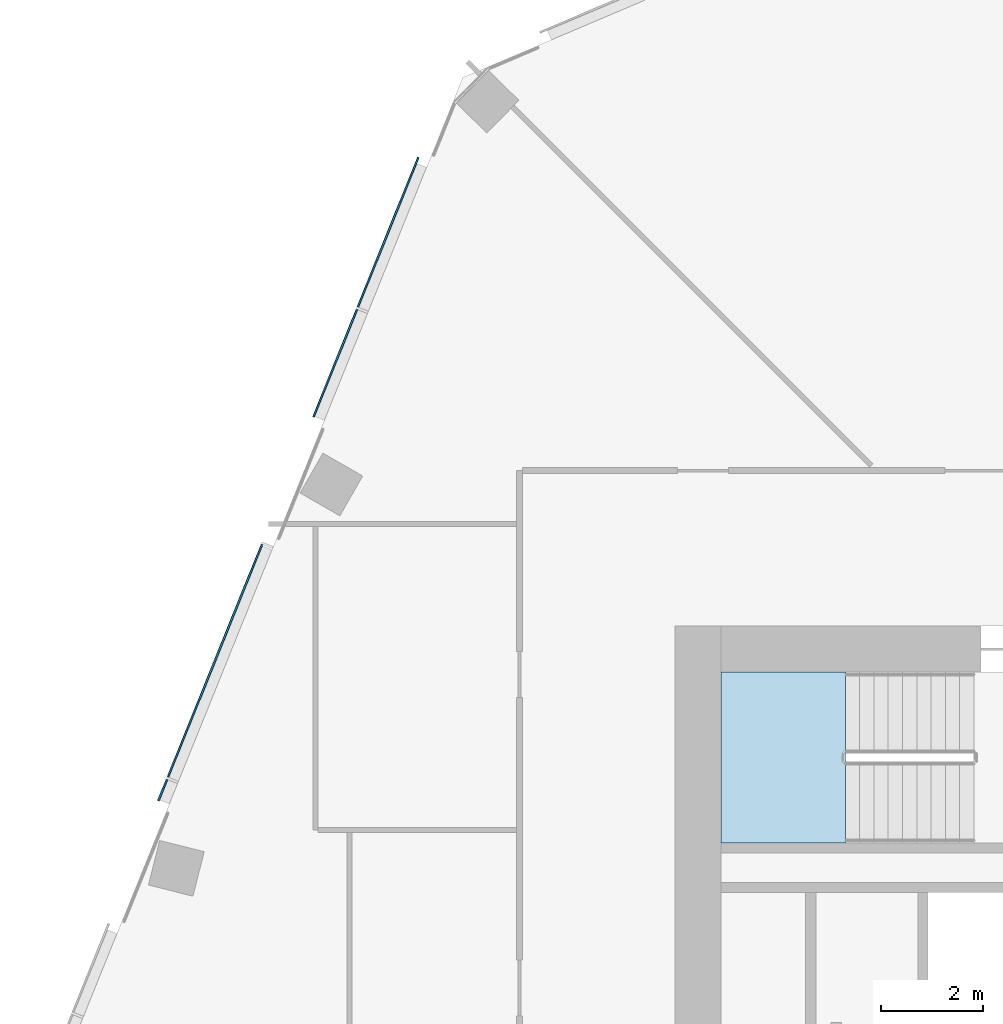
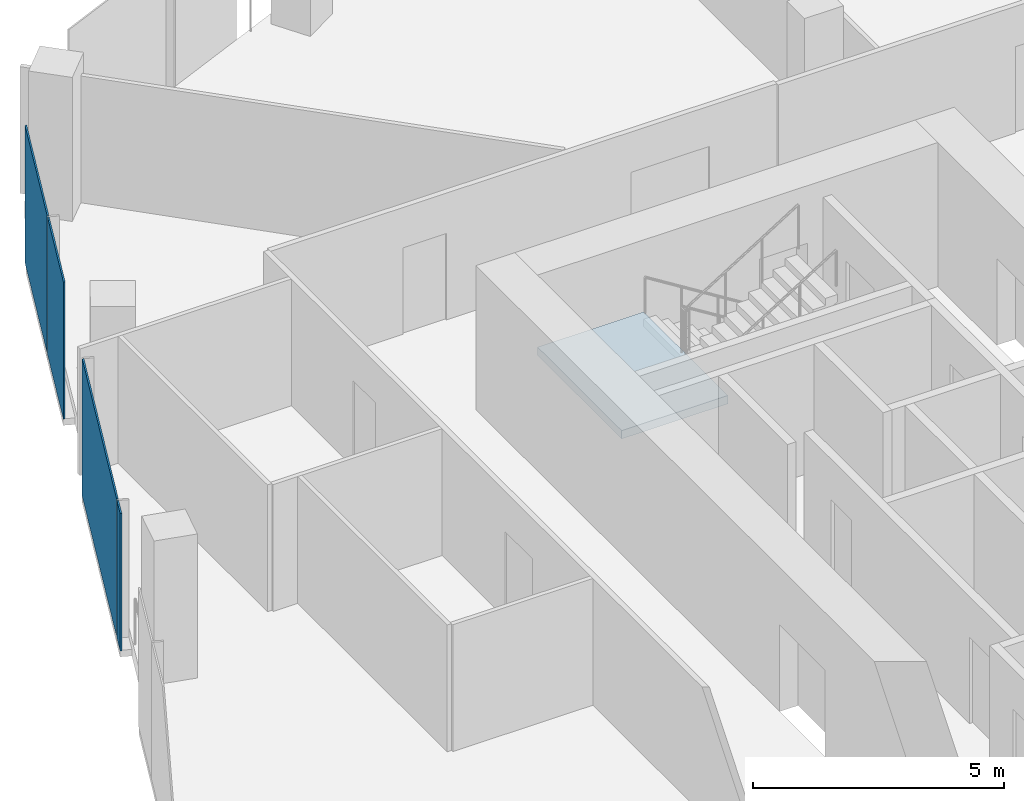
# One storey, part 14 of 26: 4 plates, 1 slab, 2 elements without a shape of their own.
"""IFC4 building model written with IfcOpenShell, lengths in metres."""

from ifc_helpers import new_model, si_unit, direction, frame, origin, origin_2d, place, context, subcontext, project, spatial, polyline, rectangle, outline, extrude, material, layer, layer_set, type_object, element, aggregate, save


model = new_model("IFC4")

# Units and contexts
model_context = context("Model", 3, precision=1e-05, world=origin(), true_north=direction((0.0, 1.0)))
body_context = subcontext(model_context, "Body", "Model", "MODEL_VIEW")
ifc_project = project(units=[si_unit("LENGTHUNIT", "METRE"), si_unit("AREAUNIT", "SQUARE_METRE"), si_unit("VOLUMEUNIT", "CUBIC_METRE"), si_unit("PLANEANGLEUNIT", "RADIAN"), si_unit("MASSUNIT", "GRAM", prefix="KILO")], contexts=[model_context])

# Site, building, storey
site_placement = place(None, origin())
site = spatial("IfcSite", under=ifc_project, at=site_placement, CompositionType="ELEMENT")
building_placement = place(site_placement, origin())
building = spatial("IfcBuilding", under=site, at=building_placement, Name="Orlundy Tower", CompositionType="ELEMENT")
storey_placement = place(building_placement, frame((0.0, 0.0, 275.39990234375)))
storey = spatial("IfcBuildingStorey", under=building, at=storey_placement, Name="L73", CompositionType="ELEMENT", Elevation=275.39990234375)

# Curtain wall, plates
ifc_material_1 = material(Name="Aluminium bronze anodised", Category="aluminium")
curtain_wall_type = type_object("IfcCurtainWallType", Name="CW6 wall", PredefinedType="NOTDEFINED", material=ifc_material_1)
curtain_wall_placement = place(storey_placement, origin())
curtain_wall = element("IfcCurtainWall", 1, at=curtain_wall_placement, inside=storey, type_object=curtain_wall_type, Name="CW6 run 015", PredefinedType="NOTDEFINED")
ifc_material_2 = material(Name="Tinted glass", Category="glass")
ifc_layer_1 = layer(ifc_material_2, 0.035888671875)
ifc_layer_set_1 = layer_set([ifc_layer_1], Name="CW6 glass panel 36")
plate_type = type_object("IfcPlateType", Name="CW6 glass panel 36", PredefinedType="CURTAIN_PANEL", material=ifc_layer_set_1)
plate_1_placement = place(storey_placement, frame((-29.046630859375, 8.784912109375, -0.23974609375), z_axis=(0.0, 0.0, 1.0), x_axis=(0.374607412456, 0.927183523653, 0.0)))
plate_1 = element("IfcPlate", 2, at=plate_1_placement, type_object=plate_type, Name="CW6 panel", PredefinedType="CURTAIN_PANEL", context=body_context, shape_type="SweptSolid", body=[
    extrude(rectangle(XDim=0.451171875, YDim=0.035888671875, at=origin_2d()), origin(), (0.0, 0.0, 1.0), 3.340087890625),
])
plate_2_placement = place(storey_placement, frame((-28.021728515625, 11.32177734375, -0.23974609375), z_axis=(0.0, 0.0, 1.0), x_axis=(0.374607412456, 0.927183523653, 0.0)))
plate_2 = element("IfcPlate", 3, at=plate_2_placement, type_object=plate_type, Name="CW6 panel", PredefinedType="CURTAIN_PANEL", context=body_context, shape_type="SweptSolid", body=[
    extrude(rectangle(XDim=4.920654296875, YDim=0.035888671875, at=origin_2d()), origin(), (0.0, 0.0, 1.0), 3.340087890625),
])
plate_3_placement = place(storey_placement, frame((-25.6640625, 17.156982421875, -0.23974609375), z_axis=(0.0, 0.0, 1.0), x_axis=(0.374607412456, 0.927183523653, 0.0)))
plate_3 = element("IfcPlate", 4, at=plate_3_placement, type_object=plate_type, Name="CW6 panel", PredefinedType="CURTAIN_PANEL", context=body_context, shape_type="SweptSolid", body=[
    extrude(rectangle(XDim=2.274169921875, YDim=0.035888671875, at=origin_2d()), origin(), (0.0, 0.0, 1.0), 3.340087890625),
])
plate_4_placement = place(storey_placement, frame((-24.627197265625, 19.723876953125, -0.23974609375), z_axis=(0.0, 0.0, 1.0), x_axis=(0.374607412456, 0.927183523653, 0.0)))
plate_4 = element("IfcPlate", 5, at=plate_4_placement, type_object=plate_type, Name="CW6 panel", PredefinedType="CURTAIN_PANEL", context=body_context, shape_type="SweptSolid", body=[
    extrude(rectangle(XDim=3.162353515625, YDim=0.035888671875, at=origin_2d()), origin(), (0.0, 0.0, 1.0), 3.340087890625),
])
aggregate(curtain_wall, [plate_1, plate_2, plate_3, plate_4])

# Stair, slab
ifc_material_3 = material(Name="Concrete C50/60", Category="concrete")
stair_type = type_object("IfcStairType", Name="Exit Stair 20 risers", PredefinedType="HALF_TURN_STAIR", material=ifc_material_3)
stair_placement = place(storey_placement, origin())
stair = element("IfcStair", 6, at=stair_placement, inside=storey, type_object=stair_type, Name="L73 Exit Stair ST-W1", PredefinedType="HALF_TURN_STAIR")
ifc_material_4 = material(Name="Concrete C50/60", Category="concrete")
ifc_layer_2 = layer(ifc_material_4, 0.199951171875)
ifc_layer_set_2 = layer_set([ifc_layer_2], Name="Exit Stair Landing")
slab_type = type_object("IfcSlabType", Name="Exit Stair Landing", PredefinedType="LANDING", material=ifc_layer_set_2)
slab_placement = place(storey_placement, frame((0.0, 0.0, 1.550048828125)))
slab = element("IfcSlab", 7, at=slab_placement, type_object=slab_type, Name="ST-W1 landing 1", PredefinedType="LANDING", context=body_context, shape_type="SweptSolid", body=[
    extrude(outline(polyline([(-15.659912109375, 11.10009765625), (-18.10009765625, 11.10009765625), (-18.10009765625, 7.75), (-15.659912109375, 7.75), (-15.659912109375, 11.10009765625)])), origin(), (0.0, 0.0, 1.0), 0.199951171875),
])
aggregate(stair, [slab])

save(model, "model.ifc")
